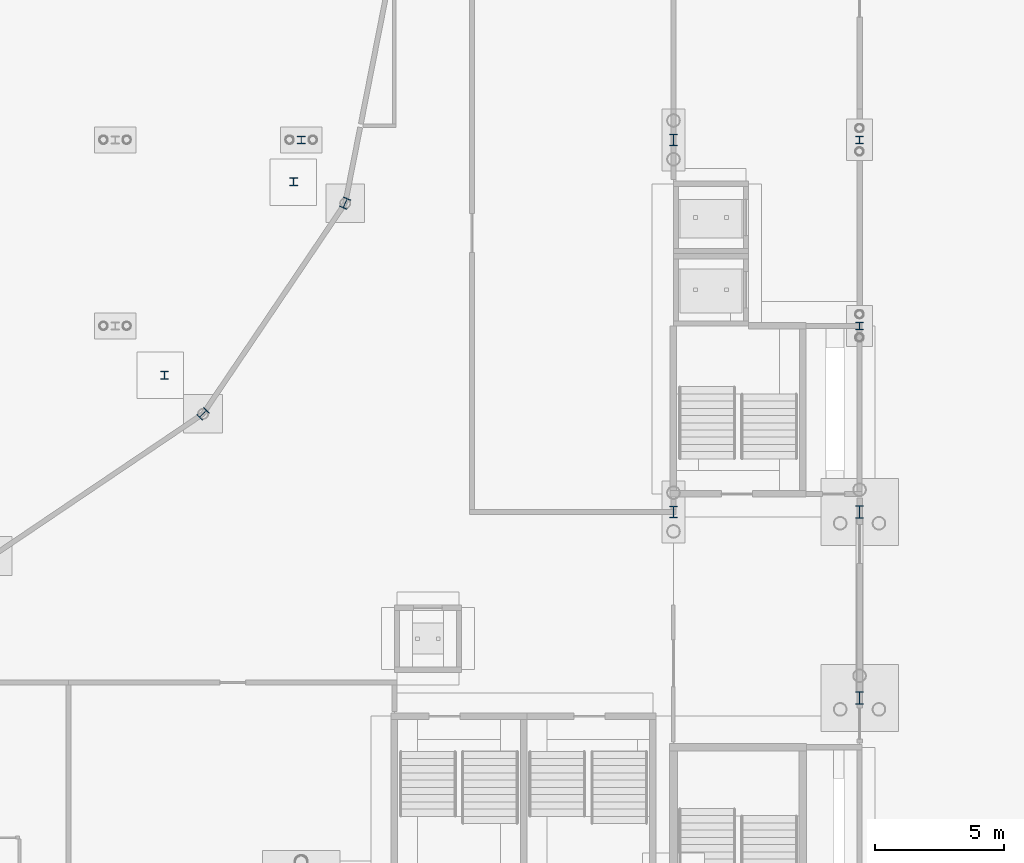
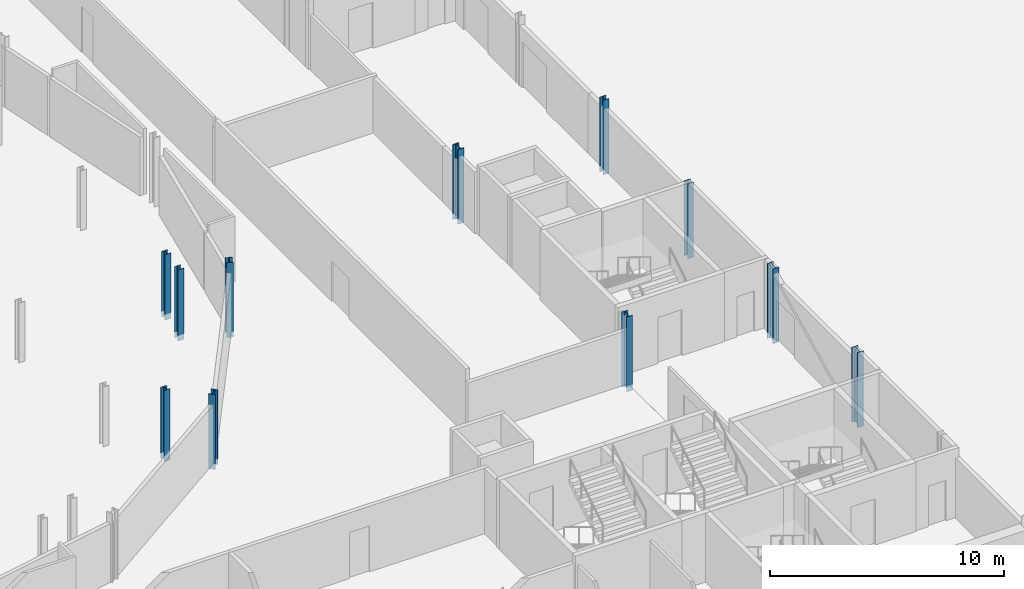
# One storey, part 48 of 148: 11 columns.
"""IFC4 building model written with IfcOpenShell, lengths in metres."""

from ifc_helpers import new_model, si_unit, direction, frame, origin, origin_2d, place, context, subcontext, project, spatial, i_section, extrude, material, material_profile, profile_set, type_object, element, save


model = new_model("IFC4")

# Units and contexts
model_context = context("Model", 3, precision=1e-05, world=origin(), true_north=direction((0.0, 1.0)))
body_context = subcontext(model_context, "Body", "Model", "MODEL_VIEW")
ifc_project = project(units=[si_unit("LENGTHUNIT", "METRE"), si_unit("AREAUNIT", "SQUARE_METRE"), si_unit("VOLUMEUNIT", "CUBIC_METRE"), si_unit("PLANEANGLEUNIT", "RADIAN"), si_unit("MASSUNIT", "GRAM", prefix="KILO")], contexts=[model_context])

# Site, building, storey
site_placement = place(None, origin())
site = spatial("IfcSite", under=ifc_project, at=site_placement, CompositionType="ELEMENT")
building_placement = place(site_placement, origin())
building = spatial("IfcBuilding", under=site, at=building_placement, Name="Kupolbacken Congress Centre", CompositionType="ELEMENT")
storey_placement = place(building_placement, origin())
storey = spatial("IfcBuildingStorey", under=building, at=storey_placement, Name="L00", CompositionType="ELEMENT", Elevation=0.0)

# Columns
ifc_material_1 = material(Name="Steel S355", Category="steel")
ifc_material_profile_1 = material_profile(ifc_material_1, i_section(OverallWidth=0.300048828125, OverallDepth=0.449951171875, WebThickness=0.013916015625, FlangeThickness=0.02587890625, FilletRadius=0.027099609375, at=origin_2d()), Name="HEB 450")
ifc_profile_set_1 = profile_set([ifc_material_profile_1], Name="Steel S355")
column_type_1 = type_object("IfcColumnType", Name="C03 column HEB 450", PredefinedType="COLUMN", material=ifc_profile_set_1)
for number, where, z_axis, x_axis, name in (
    (1, (79.199951171875, 64.800048828125, -0.300048828125), (0.0, 0.0, 1.0), (1.0, 0.0, 0.0), "S/col/C-P-12K/L00"),
    (2, (79.199951171875, 79.199951171875, -0.300048828125), (0.0, 0.0, 1.0), (1.0, 0.0, 0.0), "S/col/C-P-12M/L00"),
):
    element("IfcColumn", number, at=place(storey_placement, frame(where, z_axis=z_axis, x_axis=x_axis)), inside=storey, type_object=column_type_1, Name=name, PredefinedType="COLUMN", context=body_context, shape_type="SweptSolid", body=[
        extrude(i_section(OverallWidth=0.300048828125, OverallDepth=0.449951171875, WebThickness=0.013916015625, FlangeThickness=0.02587890625, FilletRadius=0.027099609375, at=origin_2d()), origin(), (0.0, 0.0, 1.0), 3.900146484375),
    ])
ifc_material_2 = material(Name="Steel S355", Category="steel")
ifc_material_profile_2 = material_profile(ifc_material_2, i_section(OverallWidth=0.300048828125, OverallDepth=0.300048828125, WebThickness=0.010986328125, FlangeThickness=0.01904296875, FilletRadius=0.027099609375, at=origin_2d()), Name="HEB 300")
ifc_profile_set_2 = profile_set([ifc_material_profile_2], Name="Steel S355")
column_type_2 = type_object("IfcColumnType", Name="C06 column HEB 300", PredefinedType="COLUMN", material=ifc_profile_set_2)
column_placement = place(storey_placement, frame((64.800048828125, 79.199951171875, -0.300048828125), z_axis=(0.0, 0.0, 1.0), x_axis=(1.0, 0.0, 0.0)))
element("IfcColumn", 3, at=column_placement, inside=storey, type_object=column_type_2, Name="S/col/C-PL-648-792/L00", PredefinedType="COLUMN", context=body_context, shape_type="SweptSolid", body=[
    extrude(i_section(OverallWidth=0.300048828125, OverallDepth=0.300048828125, WebThickness=0.010986328125, FlangeThickness=0.01904296875, FilletRadius=0.027099609375, at=origin_2d()), origin(), (0.0, 0.0, 1.0), 3.41015625),
])
for number, where, z_axis, x_axis, name in (
    (4, (59.505126953125, 70.094970703125, -0.300048828125), (0.0, 0.0, 1.0), (1.0, 0.0, 0.0), "Plenary ring undercroft column"),
    (5, (64.503662109375, 77.57568359375, -0.300048828125), (0.0, 0.0, 1.0), (1.0, 0.0, 0.0), "Plenary ring undercroft column"),
):
    element("IfcColumn", number, at=place(storey_placement, frame(where, z_axis=z_axis, x_axis=x_axis)), inside=storey, type_object=column_type_2, Name=name, PredefinedType="COLUMN", context=body_context, shape_type="SweptSolid", body=[
        extrude(i_section(OverallWidth=0.300048828125, OverallDepth=0.300048828125, WebThickness=0.010986328125, FlangeThickness=0.01904296875, FilletRadius=0.027099609375, at=origin_2d()), origin(), (0.0, 0.0, 1.0), 3.7099609375),
    ])
ifc_material_3 = material(Name="Steel S355", Category="steel")
ifc_material_profile_3 = material_profile(ifc_material_3, i_section(OverallWidth=0.300048828125, OverallDepth=0.39990234375, WebThickness=0.013427734375, FlangeThickness=0.02392578125, FilletRadius=0.027099609375, at=origin_2d()), Name="HEB 400")
ifc_profile_set_3 = profile_set([ifc_material_profile_3], Name="Steel S355")
column_type_3 = type_object("IfcColumnType", Name="C08 column HEB 400", PredefinedType="COLUMN", material=ifc_profile_set_3)
for number, where, z_axis, x_axis, name in (
    (6, (61.0, 68.60009765625, -0.300048828125), (0.0, 0.0, 1.0), (0.707106781187, -0.707106781187, 0.0), "S/col/C-D15/L00"),
    (7, (66.5, 76.75, -0.300048828125), (0.0, 0.0, 1.0), (0.923896018243, -0.382643629864, 0.0), "S/col/C-D16/L00"),
):
    element("IfcColumn", number, at=place(storey_placement, frame(where, z_axis=z_axis, x_axis=x_axis)), inside=storey, type_object=column_type_3, Name=name, PredefinedType="COLUMN", context=body_context, shape_type="SweptSolid", body=[
        extrude(i_section(OverallWidth=0.300048828125, OverallDepth=0.39990234375, WebThickness=0.013427734375, FlangeThickness=0.02392578125, FilletRadius=0.027099609375, at=origin_2d()), origin(), (0.0, 0.0, 1.0), 3.900146484375),
    ])
ifc_material_4 = material(Name="Steel S355", Category="steel")
ifc_material_profile_4 = material_profile(ifc_material_4, i_section(OverallWidth=0.300048828125, OverallDepth=0.2900390625, WebThickness=0.008544921875, FlangeThickness=0.013916015625, FilletRadius=0.027099609375, at=origin_2d()), Name="HEA 300")
ifc_profile_set_4 = profile_set([ifc_material_profile_4], Name="Steel S355")
column_type_4 = type_object("IfcColumnType", Name="C09 column HEA 300", PredefinedType="COLUMN", material=ifc_profile_set_4)
for number, where, z_axis, x_axis, name in (
    (8, (86.39990234375, 72.0, -0.300048828125), (0.0, 0.0, 1.0), (1.0, 0.0, 0.0), "S/col/C-H-PW05/L00"),
    (9, (86.39990234375, 79.199951171875, -0.300048828125), (0.0, 0.0, 1.0), (1.0, 0.0, 0.0), "S/col/C-H-PW06/L00"),
):
    element("IfcColumn", number, at=place(storey_placement, frame(where, z_axis=z_axis, x_axis=x_axis)), inside=storey, type_object=column_type_4, Name=name, PredefinedType="COLUMN", context=body_context, shape_type="SweptSolid", body=[
        extrude(i_section(OverallWidth=0.300048828125, OverallDepth=0.2900390625, WebThickness=0.008544921875, FlangeThickness=0.013916015625, FilletRadius=0.027099609375, at=origin_2d()), origin(), (0.0, 0.0, 1.0), 3.900146484375),
    ])
ifc_material_5 = material(Name="Steel S355", Category="steel")
ifc_material_profile_5 = material_profile(ifc_material_5, i_section(OverallWidth=0.300048828125, OverallDepth=0.489990234375, WebThickness=0.011962890625, FlangeThickness=0.02294921875, FilletRadius=0.027099609375, at=origin_2d()), Name="HEA 500")
ifc_profile_set_5 = profile_set([ifc_material_profile_5], Name="Steel S355")
column_type_5 = type_object("IfcColumnType", Name="C14 column HEA 500", PredefinedType="COLUMN", material=ifc_profile_set_5)
for number, where, z_axis, x_axis, name in (
    (10, (86.39990234375, 57.60009765625, -0.300048828125), (0.0, 0.0, 1.0), (1.0, 0.0, 0.0), "S/col/C-H-PW03/L00"),
    (11, (86.39990234375, 64.800048828125, -0.300048828125), (0.0, 0.0, 1.0), (1.0, 0.0, 0.0), "S/col/C-H-PW04/L00"),
):
    element("IfcColumn", number, at=place(storey_placement, frame(where, z_axis=z_axis, x_axis=x_axis)), inside=storey, type_object=column_type_5, Name=name, PredefinedType="COLUMN", context=body_context, shape_type="SweptSolid", body=[
        extrude(i_section(OverallWidth=0.300048828125, OverallDepth=0.489990234375, WebThickness=0.011962890625, FlangeThickness=0.02294921875, FilletRadius=0.027099609375, at=origin_2d()), origin(), (0.0, 0.0, 1.0), 3.900146484375),
    ])

save(model, "model.ifc")
